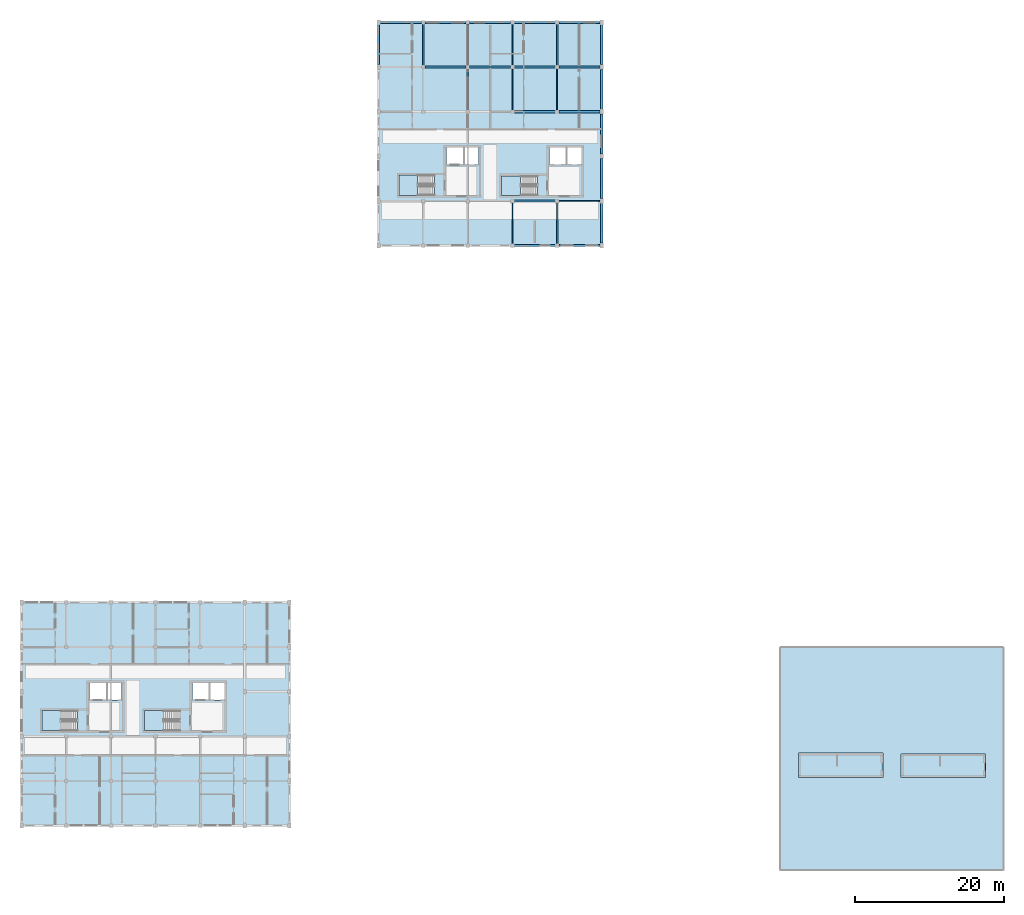
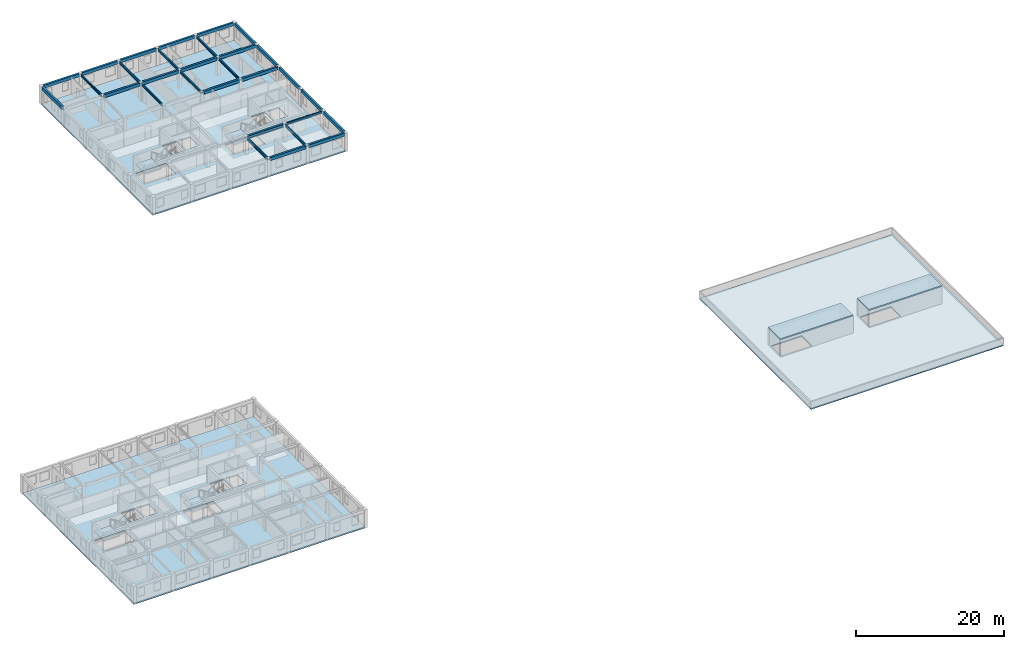
# One storey, part 2 of 17: 30 beams, 9 slabs, 4 elements without a shape of their own.
"""IFC4 building model written with IfcOpenShell, lengths in metres."""

from ifc_helpers import new_model, si_unit, direction, frame, origin, origin_2d, place, context, subcontext, project, spatial, polyline, rectangle, i_section, outline, extrude, material, layer, layer_set, material_profile, profile_set, type_object, element, aggregate, save


model = new_model("IFC4")

# Units and contexts
model_context = context("Model", 3, precision=1e-05, world=origin(), true_north=direction((0.0, 1.0)))
body_context = subcontext(model_context, "Body", "Model", "MODEL_VIEW")
ifc_project = project(units=[si_unit("LENGTHUNIT", "METRE"), si_unit("AREAUNIT", "SQUARE_METRE"), si_unit("VOLUMEUNIT", "CUBIC_METRE"), si_unit("PLANEANGLEUNIT", "RADIAN"), si_unit("MASSUNIT", "GRAM", prefix="KILO"), si_unit("POWERUNIT", "WATT"), si_unit("THERMODYNAMICTEMPERATUREUNIT", "KELVIN")], contexts=[model_context])

# Site, building, storey
site_placement = place(None, origin())
site = spatial("IfcSite", under=ifc_project, at=site_placement, CompositionType="ELEMENT")
building_placement = place(site_placement, origin())
building = spatial("IfcBuilding", under=site, at=building_placement, Name="Ruvembo Vaulted Housing Court", CompositionType="ELEMENT")
storey_placement = place(building_placement, frame((0.0, 0.0, 30.10009765625)))
storey = spatial("IfcBuildingStorey", under=building, at=storey_placement, Name="L09", CompositionType="ELEMENT", Elevation=30.10009765625)

# Beams
ifc_material_1 = material(Name="Steel S355J2", Category="steel")
ifc_material_profile_1 = material_profile(ifc_material_1, i_section(OverallWidth=0.300048828125, OverallDepth=0.5, WebThickness=0.014404296875, FlangeThickness=0.028076171875, FilletRadius=0.027099609375, at=origin_2d()), Name="HEB 320")
ifc_profile_set_1 = profile_set([ifc_material_profile_1], Name="Steel S355J2")
beam_type_1 = type_object("IfcBeamType", Name="BM-ST-HEB320", PredefinedType="BEAM", material=ifc_profile_set_1)
beam_1_placement = place(storey_placement, frame((66.235107421875, 90.0, 2.67578125), z_axis=(1.0, 0.0, 0.0), x_axis=(0.0, 1.0, 0.0)))
element("IfcBeam", 1, at=beam_1_placement, inside=storey, type_object=beam_type_1, Name="L09 Grid Beam X #3173", PredefinedType="BEAM", context=body_context, shape_type="SweptSolid", body=[
    extrude(i_section(OverallWidth=0.300048828125, OverallDepth=0.5, WebThickness=0.014404296875, FlangeThickness=0.028076171875, FilletRadius=0.027099609375, at=origin_2d()), origin(), (0.0, 0.0, 1.0), 5.52978515625),
])
ifc_material_profile_2 = material_profile(ifc_material_1, i_section(OverallWidth=0.169921875, OverallDepth=0.360107421875, WebThickness=0.008056640625, FlangeThickness=0.0126953125, FilletRadius=0.01806640625, at=origin_2d()), Name="IPE 360")
ifc_profile_set_2 = profile_set([ifc_material_profile_2], Name="Steel S355J2")
beam_type_2 = type_object("IfcBeamType", Name="BM-ST-IPE360", PredefinedType="BEAM", material=ifc_profile_set_2)
beam_2_placement = place(storey_placement, frame((72.235107421875, 90.0, 2.745849609375), z_axis=(1.0, 0.0, 0.0), x_axis=(0.0, 1.0, 0.0)))
element("IfcBeam", 2, at=beam_2_placement, inside=storey, type_object=beam_type_2, Name="L09 Grid Beam X #3174", PredefinedType="BEAM", context=body_context, shape_type="SweptSolid", body=[
    extrude(i_section(OverallWidth=0.169921875, OverallDepth=0.360107421875, WebThickness=0.008056640625, FlangeThickness=0.0126953125, FilletRadius=0.01806640625, at=origin_2d()), origin(), (0.0, 0.0, 1.0), 5.554931640625),
])
for number, where, z_axis, x_axis, name in (
    (3, (54.0, 108.235107421875, 2.745849609375), (0.0, 1.0, 0.0), (-1.0, 0.0, 0.0), "L09 Grid Beam Y #3225"),
    (4, (60.0, 102.235107421875, 2.745849609375), (0.0, 1.0, 0.0), (-1.0, 0.0, 0.0), "L09 Grid Beam Y #3228"),
    (5, (66.0, 102.235107421875, 2.745849609375), (0.0, 1.0, 0.0), (-1.0, 0.0, 0.0), "L09 Grid Beam Y #3231"),
    (6, (72.0, 102.235107421875, 2.745849609375), (0.0, 1.0, 0.0), (-1.0, 0.0, 0.0), "L09 Grid Beam Y #3234"),
):
    element("IfcBeam", number, at=place(storey_placement, frame(where, z_axis=z_axis, x_axis=x_axis)), inside=storey, type_object=beam_type_2, Name=name, PredefinedType="BEAM", context=body_context, shape_type="SweptSolid", body=[
        extrude(i_section(OverallWidth=0.169921875, OverallDepth=0.360107421875, WebThickness=0.008056640625, FlangeThickness=0.0126953125, FilletRadius=0.01806640625, at=origin_2d()), origin(), (0.0, 0.0, 1.0), 5.52978515625),
    ])
ifc_material_profile_3 = material_profile(ifc_material_1, i_section(OverallWidth=0.179931640625, OverallDepth=0.39990234375, WebThickness=0.008544921875, FlangeThickness=0.013427734375, FilletRadius=0.02099609375, at=origin_2d()), Name="IPE 400")
ifc_profile_set_3 = profile_set([ifc_material_profile_3], Name="Steel S355J2")
beam_type_3 = type_object("IfcBeamType", Name="BM-ST-IPE400", PredefinedType="BEAM", material=ifc_profile_set_3)
for number, where, z_axis, x_axis, name in (
    (7, (60.0, 108.235107421875, 2.725830078125), (0.0, 1.0, 0.0), (-1.0, 0.0, 0.0), "L09 Grid Beam Y #3229"),
    (8, (66.0, 108.235107421875, 2.725830078125), (0.0, 1.0, 0.0), (-1.0, 0.0, 0.0), "L09 Grid Beam Y #3232"),
    (9, (72.0, 108.235107421875, 2.725830078125), (0.0, 1.0, 0.0), (-1.0, 0.0, 0.0), "L09 Grid Beam Y #3235"),
):
    element("IfcBeam", number, at=place(storey_placement, frame(where, z_axis=z_axis, x_axis=x_axis)), inside=storey, type_object=beam_type_3, Name=name, PredefinedType="BEAM", context=body_context, shape_type="SweptSolid", body=[
        extrude(i_section(OverallWidth=0.179931640625, OverallDepth=0.39990234375, WebThickness=0.008544921875, FlangeThickness=0.013427734375, FilletRadius=0.02099609375, at=origin_2d()), origin(), (0.0, 0.0, 1.0), 5.52978515625),
    ])
ifc_material_profile_4 = material_profile(ifc_material_1, i_section(OverallWidth=0.18994140625, OverallDepth=0.449951171875, WebThickness=0.009521484375, FlangeThickness=0.0146484375, FilletRadius=0.02099609375, at=origin_2d()), Name="IPE 450")
ifc_profile_set_4 = profile_set([ifc_material_profile_4], Name="Steel S355J2")
beam_type_4 = type_object("IfcBeamType", Name="BM-ST-IPE450", PredefinedType="BEAM", material=ifc_profile_set_4)
for number, where, z_axis, x_axis, name in (
    (10, (66.0, 84.235107421875, 2.700927734375), (0.0, 1.0, 0.0), (-1.0, 0.0, 0.0), "L09 Grid Beam Y #3230"),
    (11, (72.0, 84.235107421875, 2.700927734375), (0.0, 1.0, 0.0), (-1.0, 0.0, 0.0), "L09 Grid Beam Y #3233"),
):
    element("IfcBeam", number, at=place(storey_placement, frame(where, z_axis=z_axis, x_axis=x_axis)), inside=storey, type_object=beam_type_4, Name=name, PredefinedType="BEAM", context=body_context, shape_type="SweptSolid", body=[
        extrude(i_section(OverallWidth=0.18994140625, OverallDepth=0.449951171875, WebThickness=0.009521484375, FlangeThickness=0.0146484375, FilletRadius=0.02099609375, at=origin_2d()), origin(), (0.0, 0.0, 1.0), 5.52978515625),
    ])
ifc_material_2 = material(Name="Concrete C35/45", Category="concrete")
ifc_material_profile_5 = material_profile(ifc_material_2, rectangle(XDim=0.300048828125, YDim=0.5, at=origin_2d()), Name="RC 300x500")
ifc_profile_set_5 = profile_set([ifc_material_profile_5], Name="Concrete C35/45")
beam_type_5 = type_object("IfcBeamType", Name="SP-RC-300x500", PredefinedType="SPANDREL", material=ifc_profile_set_5)
beam_3_placement = place(storey_placement, frame((66.235107421875, 84.0, 2.73486328125), z_axis=(1.0, 0.0, 0.0), x_axis=(0.0, 1.0, 0.0)))
element("IfcBeam", 12, at=beam_3_placement, inside=storey, type_object=beam_type_5, Name="L09 Grid Beam X #3168", PredefinedType="SPANDREL", context=body_context, shape_type="SweptSolid", body=[
    extrude(rectangle(XDim=0.300048828125, YDim=0.5, at=origin_2d()), origin(), (0.0, 0.0, 1.0), 5.52978515625),
])
beam_4_placement = place(storey_placement, frame((72.235107421875, 84.0, 2.73486328125), z_axis=(1.0, 0.0, 0.0), x_axis=(0.0, 1.0, 0.0)))
element("IfcBeam", 13, at=beam_4_placement, inside=storey, type_object=beam_type_5, Name="L09 Grid Beam X #3169", PredefinedType="SPANDREL", context=body_context, shape_type="SweptSolid", body=[
    extrude(rectangle(XDim=0.300048828125, YDim=0.5, at=origin_2d()), origin(), (0.0, 0.0, 1.0), 5.554931640625),
])
beam_5_placement = place(storey_placement, frame((66.235107421875, 102.0, 2.73486328125), z_axis=(1.0, 0.0, 0.0), x_axis=(0.0, 1.0, 0.0)))
element("IfcBeam", 14, at=beam_5_placement, inside=storey, type_object=beam_type_5, Name="L09 Grid Beam X #3178", PredefinedType="SPANDREL", context=body_context, shape_type="SweptSolid", body=[
    extrude(rectangle(XDim=0.300048828125, YDim=0.5, at=origin_2d()), origin(), (0.0, 0.0, 1.0), 5.52978515625),
])
beam_6_placement = place(storey_placement, frame((72.235107421875, 102.0, 2.73486328125), z_axis=(1.0, 0.0, 0.0), x_axis=(0.0, 1.0, 0.0)))
element("IfcBeam", 15, at=beam_6_placement, inside=storey, type_object=beam_type_5, Name="L09 Grid Beam X #3179", PredefinedType="SPANDREL", context=body_context, shape_type="SweptSolid", body=[
    extrude(rectangle(XDim=0.300048828125, YDim=0.5, at=origin_2d()), origin(), (0.0, 0.0, 1.0), 5.554931640625),
])
for number, where, z_axis, x_axis, name in (
    (16, (54.235107421875, 108.0, 2.73486328125), (1.0, 0.0, 0.0), (0.0, 1.0, 0.0), "L09 Grid Beam X #3181"),
    (17, (60.235107421875, 108.0, 2.73486328125), (1.0, 0.0, 0.0), (0.0, 1.0, 0.0), "L09 Grid Beam X #3182"),
    (18, (66.235107421875, 108.0, 2.73486328125), (1.0, 0.0, 0.0), (0.0, 1.0, 0.0), "L09 Grid Beam X #3183"),
):
    element("IfcBeam", number, at=place(storey_placement, frame(where, z_axis=z_axis, x_axis=x_axis)), inside=storey, type_object=beam_type_5, Name=name, PredefinedType="SPANDREL", context=body_context, shape_type="SweptSolid", body=[
        extrude(rectangle(XDim=0.300048828125, YDim=0.5, at=origin_2d()), origin(), (0.0, 0.0, 1.0), 5.52978515625),
    ])
for number, where, z_axis, x_axis, name in (
    (19, (72.235107421875, 108.0, 2.73486328125), (1.0, 0.0, 0.0), (0.0, 1.0, 0.0), "L09 Grid Beam X #3184"),
    (20, (48.2099609375, 114.0, 2.73486328125), (1.0, 0.0, 0.0), (0.0, 1.0, 0.0), "L09 Grid Beam X #3185"),
):
    element("IfcBeam", number, at=place(storey_placement, frame(where, z_axis=z_axis, x_axis=x_axis)), inside=storey, type_object=beam_type_5, Name=name, PredefinedType="SPANDREL", context=body_context, shape_type="SweptSolid", body=[
        extrude(rectangle(XDim=0.300048828125, YDim=0.5, at=origin_2d()), origin(), (0.0, 0.0, 1.0), 5.554931640625),
    ])
for number, where, z_axis, x_axis, name in (
    (21, (54.235107421875, 114.0, 2.73486328125), (1.0, 0.0, 0.0), (0.0, 1.0, 0.0), "L09 Grid Beam X #3186"),
    (22, (60.235107421875, 114.0, 2.73486328125), (1.0, 0.0, 0.0), (0.0, 1.0, 0.0), "L09 Grid Beam X #3187"),
    (23, (66.235107421875, 114.0, 2.73486328125), (1.0, 0.0, 0.0), (0.0, 1.0, 0.0), "L09 Grid Beam X #3188"),
):
    element("IfcBeam", number, at=place(storey_placement, frame(where, z_axis=z_axis, x_axis=x_axis)), inside=storey, type_object=beam_type_5, Name=name, PredefinedType="SPANDREL", context=body_context, shape_type="SweptSolid", body=[
        extrude(rectangle(XDim=0.300048828125, YDim=0.5, at=origin_2d()), origin(), (0.0, 0.0, 1.0), 5.52978515625),
    ])
beam_7_placement = place(storey_placement, frame((72.235107421875, 114.0, 2.73486328125), z_axis=(1.0, 0.0, 0.0), x_axis=(0.0, 1.0, 0.0)))
element("IfcBeam", 24, at=beam_7_placement, inside=storey, type_object=beam_type_5, Name="L09 Grid Beam X #3189", PredefinedType="SPANDREL", context=body_context, shape_type="SweptSolid", body=[
    extrude(rectangle(XDim=0.300048828125, YDim=0.5, at=origin_2d()), origin(), (0.0, 0.0, 1.0), 5.554931640625),
])
for number, where, z_axis, x_axis, name in (
    (25, (48.0, 108.31005859375, 2.73486328125), (0.0, 1.0, 0.0), (-1.0, 0.0, 0.0), "L09 Grid Beam Y #3222"),
    (26, (78.0, 84.31005859375, 2.73486328125), (0.0, 1.0, 0.0), (-1.0, 0.0, 0.0), "L09 Grid Beam Y #3236"),
    (27, (78.0, 90.31005859375, 2.73486328125), (0.0, 1.0, 0.0), (-1.0, 0.0, 0.0), "L09 Grid Beam Y #3237"),
    (28, (78.0, 96.31005859375, 2.73486328125), (0.0, 1.0, 0.0), (-1.0, 0.0, 0.0), "L09 Grid Beam Y #3238"),
    (29, (78.0, 102.31005859375, 2.73486328125), (0.0, 1.0, 0.0), (-1.0, 0.0, 0.0), "L09 Grid Beam Y #3239"),
    (30, (78.0, 108.31005859375, 2.73486328125), (0.0, 1.0, 0.0), (-1.0, 0.0, 0.0), "L09 Grid Beam Y #3240"),
):
    element("IfcBeam", number, at=place(storey_placement, frame(where, z_axis=z_axis, x_axis=x_axis)), inside=storey, type_object=beam_type_5, Name=name, PredefinedType="SPANDREL", context=body_context, shape_type="SweptSolid", body=[
        extrude(rectangle(XDim=0.300048828125, YDim=0.5, at=origin_2d()), origin(), (0.0, 0.0, 1.0), 5.3798828125),
    ])

# Slabs
ifc_material_3 = material(Name="Concrete C30/37", Category="concrete")
ifc_layer_1 = layer(ifc_material_3, 0.219970703125, Name="Concrete C30/37")
ifc_layer_set_1 = layer_set([ifc_layer_1], Name="Concrete C30/37")
slab_type_1 = type_object("IfcSlabType", Name="SL-FLR-220", PredefinedType="FLOOR", material=ifc_layer_set_1)
slab_1_placement = place(storey_placement, frame((0.0, 0.0, -0.22021484375)))
element("IfcSlab", 31, at=slab_1_placement, inside=storey, type_object=slab_type_1, Name="Block A L09 Structural Floor Slab", PredefinedType="FLOOR", context=body_context, shape_type="SweptSolid", body=[
    extrude(outline(polyline([(36.0, 6.0), (36.0, 36.0), (0.0, 36.0), (0.0, 6.0), (36.0, 6.0)]), holes=[polyline([(7.5, 21.449951171875), (2.75, 21.449951171875), (2.75, 18.75), (7.5, 18.75), (7.5, 21.449951171875)]), polyline([(9.14990234375, 22.85009765625), (11.35009765625, 22.85009765625), (11.35009765625, 25.25), (9.14990234375, 25.25), (9.14990234375, 22.85009765625)]), polyline([(11.60009765625, 22.85009765625), (13.449951171875, 22.85009765625), (13.449951171875, 25.25), (11.60009765625, 25.25), (11.60009765625, 22.85009765625)]), polyline([(21.300048828125, 21.449951171875), (16.550048828125, 21.449951171875), (16.550048828125, 18.75), (21.300048828125, 18.75), (21.300048828125, 21.449951171875)]), polyline([(22.949951171875, 22.85009765625), (25.14990234375, 22.85009765625), (25.14990234375, 25.25), (22.949951171875, 25.25), (22.949951171875, 22.85009765625)]), polyline([(25.39990234375, 22.85009765625), (27.25, 22.85009765625), (27.25, 25.25), (25.39990234375, 25.25), (25.39990234375, 22.85009765625)])]), origin(), (0.0, 0.0, 1.0), 0.22021484375),
])
slab_2_placement = place(storey_placement, frame((0.0, 0.0, -0.22021484375)))
element("IfcSlab", 32, at=slab_2_placement, inside=storey, type_object=slab_type_1, Name="Block B L09 Structural Floor Slab", PredefinedType="FLOOR", context=body_context, shape_type="SweptSolid", body=[
    extrude(outline(polyline([(78.0, 84.0), (78.0, 114.0), (48.0, 114.0), (48.0, 84.0), (78.0, 84.0)]), holes=[polyline([(55.5, 93.449951171875), (50.75, 93.449951171875), (50.75, 90.75), (55.5, 90.75), (55.5, 93.449951171875)]), polyline([(57.14990234375, 94.85009765625), (59.35009765625, 94.85009765625), (59.35009765625, 97.25), (57.14990234375, 97.25), (57.14990234375, 94.85009765625)]), polyline([(59.60009765625, 94.85009765625), (61.449951171875, 94.85009765625), (61.449951171875, 97.25), (59.60009765625, 97.25), (59.60009765625, 94.85009765625)]), polyline([(69.35009765625, 93.35009765625), (64.550048828125, 93.35009765625), (64.550048828125, 90.75), (69.35009765625, 90.75), (69.35009765625, 93.35009765625)]), polyline([(70.949951171875, 94.85009765625), (73.14990234375, 94.85009765625), (73.14990234375, 97.25), (70.949951171875, 97.25), (70.949951171875, 94.85009765625)]), polyline([(73.39990234375, 94.85009765625), (75.25, 94.85009765625), (75.25, 97.25), (73.39990234375, 97.25), (73.39990234375, 94.85009765625)])]), origin(), (0.0, 0.0, 1.0), 0.22021484375),
])

# Stair, slab
stair_type_1 = type_object("IfcStairType", Name="STR-CORE-1250", PredefinedType="HALF_TURN_STAIR", material=ifc_material_2)
stair_1_placement = place(storey_placement, origin())
stair_1 = element("IfcStair", 33, at=stair_1_placement, inside=storey, type_object=stair_type_1, Name="L09 Protected Exit Stair ST-A1", PredefinedType="HALF_TURN_STAIR")
ifc_layer_2 = layer(ifc_material_3, 0.201904296875, Name="Concrete C30/37")
ifc_layer_set_2 = layer_set([ifc_layer_2], Name="Concrete C30/37")
slab_type_2 = type_object("IfcSlabType", Name="SL-LAND-202", PredefinedType="LANDING", material=ifc_layer_set_2)
slab_3_placement = place(storey_placement, frame((0.0, 0.0, 1.39990234375)))
slab_3 = element("IfcSlab", 34, at=slab_3_placement, type_object=slab_type_2, Name="ST-A1 landing 1", PredefinedType="LANDING", context=body_context, shape_type="SweptSolid", body=[
    extrude(outline(polyline([(5.260009765625, 21.449951171875), (2.75, 21.449951171875), (2.75, 18.75), (5.260009765625, 18.75), (5.260009765625, 21.449951171875)])), origin(), (0.0, 0.0, 1.0), 0.199951171875),
])
aggregate(stair_1, [slab_3])

stair_2_placement = place(storey_placement, origin())
stair_2 = element("IfcStair", 35, at=stair_2_placement, inside=storey, type_object=stair_type_1, Name="L09 Protected Exit Stair ST-A2", PredefinedType="HALF_TURN_STAIR")
slab_4_placement = place(storey_placement, frame((0.0, 0.0, 1.39990234375)))
slab_4 = element("IfcSlab", 36, at=slab_4_placement, type_object=slab_type_2, Name="ST-A2 landing 1", PredefinedType="LANDING", context=body_context, shape_type="SweptSolid", body=[
    extrude(outline(polyline([(19.06005859375, 21.449951171875), (16.550048828125, 21.449951171875), (16.550048828125, 18.75), (19.06005859375, 18.75), (19.06005859375, 21.449951171875)])), origin(), (0.0, 0.0, 1.0), 0.199951171875),
])
aggregate(stair_2, [slab_4])

stair_3_placement = place(storey_placement, origin())
stair_3 = element("IfcStair", 37, at=stair_3_placement, inside=storey, type_object=stair_type_1, Name="L09 Protected Exit Stair ST-B1", PredefinedType="HALF_TURN_STAIR")
slab_5_placement = place(storey_placement, frame((0.0, 0.0, 1.39990234375)))
slab_5 = element("IfcSlab", 38, at=slab_5_placement, type_object=slab_type_2, Name="ST-B1 landing 1", PredefinedType="LANDING", context=body_context, shape_type="SweptSolid", body=[
    extrude(outline(polyline([(53.260009765625, 93.449951171875), (50.75, 93.449951171875), (50.75, 90.75), (53.260009765625, 90.75), (53.260009765625, 93.449951171875)])), origin(), (0.0, 0.0, 1.0), 0.199951171875),
])
aggregate(stair_3, [slab_5])

stair_type_2 = type_object("IfcStairType", Name="STR-CORE-1200", PredefinedType="HALF_TURN_STAIR", material=ifc_material_2)
stair_4_placement = place(storey_placement, origin())
stair_4 = element("IfcStair", 39, at=stair_4_placement, inside=storey, type_object=stair_type_2, Name="L09 Protected Exit Stair ST-B2", PredefinedType="HALF_TURN_STAIR")
slab_6_placement = place(storey_placement, frame((0.0, 0.0, 1.39990234375)))
slab_6 = element("IfcSlab", 40, at=slab_6_placement, type_object=slab_type_2, Name="ST-B2 landing 1", PredefinedType="LANDING", context=body_context, shape_type="SweptSolid", body=[
    extrude(outline(polyline([(67.110107421875, 93.35009765625), (64.550048828125, 93.35009765625), (64.550048828125, 90.75), (67.110107421875, 90.75), (67.110107421875, 93.35009765625)])), origin(), (0.0, 0.0, 1.0), 0.199951171875),
])
aggregate(stair_4, [slab_6])

# Slabs
ifc_layer_3 = layer(ifc_material_3, 0.18505859375, Name="Concrete C30/37")
ifc_layer_set_3 = layer_set([ifc_layer_3], Name="Concrete C30/37")
slab_type_3 = type_object("IfcSlabType", Name="SL-ROOF-185", PredefinedType="ROOF", material=ifc_layer_set_3)
slab_7_placement = place(storey_placement, frame((0.0, 0.0, -0.18505859375)))
element("IfcSlab", 41, at=slab_7_placement, inside=storey, type_object=slab_type_3, Name="Block C L09 Roof Slab", PredefinedType="ROOF", context=body_context, shape_type="SweptSolid", body=[
    extrude(outline(polyline([(132.0, 0.0), (132.0, 30.0), (102.0, 30.0), (102.0, 0.0), (132.0, 0.0)]), holes=[polyline([(109.5, 15.449951171875), (104.75, 15.449951171875), (104.75, 12.75), (109.5, 12.75), (109.5, 15.449951171875)]), polyline([(123.35009765625, 15.35009765625), (118.550048828125, 15.35009765625), (118.550048828125, 12.75), (123.35009765625, 12.75), (123.35009765625, 15.35009765625)])]), origin(), (0.0, 0.0, 1.0), 0.18505859375),
])
ifc_layer_4 = layer(ifc_material_3, 0.195068359375, Name="Concrete C30/37")
ifc_layer_set_4 = layer_set([ifc_layer_4], Name="Concrete C30/37")
slab_type_4 = type_object("IfcSlabType", Name="SL-ROOF-195", PredefinedType="ROOF", material=ifc_layer_set_4)
slab_8_placement = place(storey_placement, frame((0.0, 0.0, 2.849853515625)))
element("IfcSlab", 42, at=slab_8_placement, inside=storey, type_object=slab_type_4, Name="Core C1 L09 Headhouse Roof Slab", PredefinedType="ROOF", context=body_context, shape_type="SweptSolid", body=[
    extrude(outline(polyline([(104.449951171875, 12.449951171875), (115.800048828125, 12.449951171875), (115.800048828125, 15.75), (104.449951171875, 15.75), (104.449951171875, 12.449951171875)])), origin(), (0.0, 0.0, 1.0), 0.195068359375),
])
slab_9_placement = place(storey_placement, frame((0.0, 0.0, 2.849853515625)))
element("IfcSlab", 43, at=slab_9_placement, inside=storey, type_object=slab_type_4, Name="Core C2 L09 Headhouse Roof Slab", PredefinedType="ROOF", context=body_context, shape_type="SweptSolid", body=[
    extrude(outline(polyline([(118.25, 12.449951171875), (129.60009765625, 12.449951171875), (129.60009765625, 15.64990234375), (118.25, 15.64990234375), (118.25, 12.449951171875)])), origin(), (0.0, 0.0, 1.0), 0.195068359375),
])

save(model, "model.ifc")
